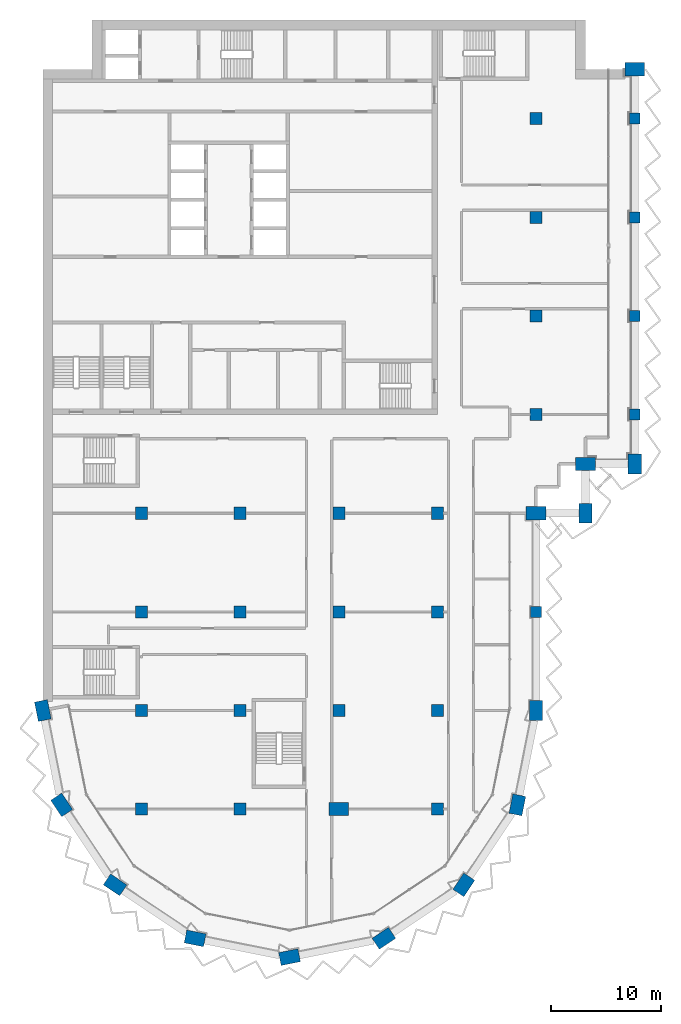
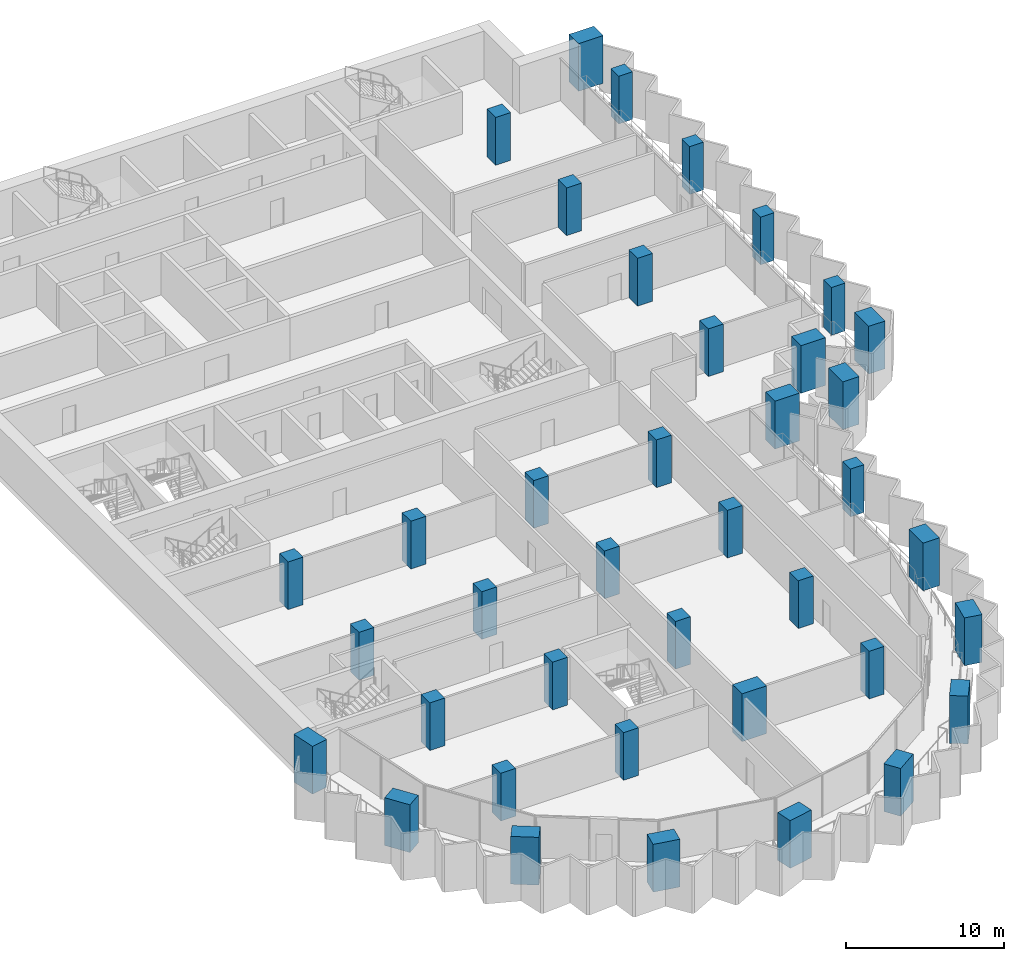
# One storey, part 1 of 17: 39 columns.
"""IFC4 building model written with IfcOpenShell, lengths in metres."""

from ifc_helpers import new_model, si_unit, direction, frame, origin, origin_2d, place, context, subcontext, project, spatial, rectangle, extrude, material, material_profile, profile_set, type_object, element, save


model = new_model("IFC4")

# Units and contexts
model_context = context("Model", 3, precision=1e-05, world=origin(), true_north=direction((0.0, 1.0)))
body_context = subcontext(model_context, "Body", "Model", "MODEL_VIEW")
ifc_project = project(units=[si_unit("LENGTHUNIT", "METRE"), si_unit("AREAUNIT", "SQUARE_METRE"), si_unit("VOLUMEUNIT", "CUBIC_METRE"), si_unit("PLANEANGLEUNIT", "RADIAN"), si_unit("MASSUNIT", "GRAM", prefix="KILO")], contexts=[model_context])

# Site, building, storey
site_placement = place(None, origin())
site = spatial("IfcSite", under=ifc_project, at=site_placement, CompositionType="ELEMENT")
building_placement = place(site_placement, origin())
building = spatial("IfcBuilding", under=site, at=building_placement, Name="Hunhe Ridgeline Campus", CompositionType="ELEMENT")
storey_placement = place(building_placement, frame((0.0, 0.0, 197.60009765625)))
storey = spatial("IfcBuildingStorey", under=building, at=storey_placement, Name="L50", CompositionType="ELEMENT", Elevation=197.60009765625)

# Columns
ifc_material = material(Name="Concrete C60", Category="concrete")
ifc_material_profile_1 = material_profile(ifc_material, rectangle(XDim=1.800048828125, YDim=1.199951171875, at=origin_2d()))
ifc_profile_set_1 = profile_set([ifc_material_profile_1], Name="Concrete C60")
column_type_1 = type_object("IfcColumnType", Name="Megacolumn 1800x1200 Concrete C60", PredefinedType="COLUMN", material=ifc_profile_set_1)
for number, where, z_axis, x_axis, name in (
    (1, (22.5, 13.5, 0.0), (0.0, 0.0, 1.0), (0.980785280403, 0.195090322016, 0.0), "Column C11 R6 L50"),
    (2, (13.8896484375, 15.212646484375, 0.0), (0.0, 0.0, 1.0), (-0.980785280403, 0.195090322016, 0.0), "Column C11 R7 L50"),
    (3, (31.1103515625, 15.212646484375, 0.0), (0.0, 0.0, 1.0), (0.831469612303, 0.55557023302, 0.0), "Column C11 R8 L50"),
    (4, (6.590087890625, 20.090087890625, 0.0), (0.0, 0.0, 1.0), (-0.831469612303, 0.55557023302, 0.0), "Column C11 R11 L50"),
    (5, (38.409912109375, 20.090087890625, 0.0), (0.0, 0.0, 1.0), (0.55557023302, 0.831469612303, 0.0), "Column C11 R12 L50"),
    (6, (1.712646484375, 27.3896484375, 0.0), (0.0, 0.0, 1.0), (-0.55557023302, 0.831469612303, 0.0), "Column C11 R16 L50"),
    (7, (43.287353515625, 27.3896484375, 0.0), (0.0, 0.0, 1.0), (0.195090322016, 0.980785280403, 0.0), "Column C11 R17 L50"),
    (8, (0.0, 36.0, 0.0), (0.0, 0.0, 1.0), (-0.195090322016, 0.980785280403, 0.0), "Column C11 E1 L50"),
    (9, (45.0, 36.0, 0.0), (0.0, 0.0, 1.0), (0.0, 1.0, 0.0), "Column C11 E6 L50"),
    (10, (45.0, 54.0, 0.0), (0.0, 0.0, 1.0), (1.0, 0.0, 0.0), "Column C11 G6 L50"),
    (11, (49.5, 54.0, 0.0), (0.0, 0.0, 1.0), (0.0, 1.0, 0.0), "Column C11 R29 L50"),
    (12, (49.5, 58.5, 0.0), (0.0, 0.0, 1.0), (1.0, 0.0, 0.0), "Column C11 R33 L50"),
    (13, (54.0, 58.5, 0.0), (0.0, 0.0, 1.0), (0.0, 1.0, 0.0), "Column C11 R34 L50"),
    (14, (54.0, 94.5, 0.0), (0.0, 0.0, 1.0), (1.0, 0.0, 0.0), "Column C11 R41 L50"),
    (15, (27.0, 27.0, 0.0), (0.0, 0.0, 1.0), (1.0, 0.0, 0.0), "Column C11 D4 L50"),
):
    element("IfcColumn", number, at=place(storey_placement, frame(where, z_axis=z_axis, x_axis=x_axis)), inside=storey, type_object=column_type_1, Name=name, PredefinedType="COLUMN", context=body_context, shape_type="SweptSolid", body=[
        extrude(rectangle(XDim=1.800048828125, YDim=1.199951171875, at=origin_2d()), origin(), (0.0, 0.0, 1.0), 3.699951171875),
    ])
ifc_material_profile_2 = material_profile(ifc_material, rectangle(XDim=1.0, YDim=1.0, at=origin_2d()))
ifc_profile_set_2 = profile_set([ifc_material_profile_2], Name="Concrete C60")
column_type_2 = type_object("IfcColumnType", Name="RC column 1000x1000 Concrete C60", PredefinedType="COLUMN", material=ifc_profile_set_2)
for number, where, z_axis, x_axis, name in (
    (16, (45.0, 45.0, 0.0), (0.0, 0.0, 1.0), (1.0, 0.0, 0.0), "Column C12 F6 L50"),
    (17, (54.0, 63.0, 0.0), (0.0, 0.0, 1.0), (1.0, 0.0, 0.0), "Column C12 H7 L50"),
    (18, (54.0, 72.0, 0.0), (0.0, 0.0, 1.0), (1.0, 0.0, 0.0), "Column C12 I7 L50"),
    (19, (54.0, 81.0, 0.0), (0.0, 0.0, 1.0), (1.0, 0.0, 0.0), "Column C12 J7 L50"),
    (20, (54.0, 90.0, 0.0), (0.0, 0.0, 1.0), (1.0, 0.0, 0.0), "Column C12 K7 L50"),
):
    element("IfcColumn", number, at=place(storey_placement, frame(where, z_axis=z_axis, x_axis=x_axis)), inside=storey, type_object=column_type_2, Name=name, PredefinedType="COLUMN", context=body_context, shape_type="SweptSolid", body=[
        extrude(rectangle(XDim=1.0, YDim=1.0, at=origin_2d()), origin(), (0.0, 0.0, 1.0), 3.699951171875),
    ])
ifc_material_profile_3 = material_profile(ifc_material, rectangle(XDim=1.10009765625, YDim=1.10009765625, at=origin_2d()))
ifc_profile_set_3 = profile_set([ifc_material_profile_3], Name="Concrete C60")
column_type_3 = type_object("IfcColumnType", Name="RC column 1100x1100 Concrete C60", PredefinedType="COLUMN", material=ifc_profile_set_3)
for number, where, z_axis, x_axis, name in (
    (21, (9.0, 27.0, 0.0), (0.0, 0.0, 1.0), (1.0, 0.0, 0.0), "Column C13 D2 L50"),
    (22, (9.0, 36.0, 0.0), (0.0, 0.0, 1.0), (1.0, 0.0, 0.0), "Column C13 E2 L50"),
    (23, (9.0, 45.0, 0.0), (0.0, 0.0, 1.0), (1.0, 0.0, 0.0), "Column C13 F2 L50"),
    (24, (9.0, 54.0, 0.0), (0.0, 0.0, 1.0), (1.0, 0.0, 0.0), "Column C13 G2 L50"),
    (25, (18.0, 27.0, 0.0), (0.0, 0.0, 1.0), (1.0, 0.0, 0.0), "Column C13 D3 L50"),
    (26, (18.0, 36.0, 0.0), (0.0, 0.0, 1.0), (1.0, 0.0, 0.0), "Column C13 E3 L50"),
    (27, (18.0, 45.0, 0.0), (0.0, 0.0, 1.0), (1.0, 0.0, 0.0), "Column C13 F3 L50"),
    (28, (18.0, 54.0, 0.0), (0.0, 0.0, 1.0), (1.0, 0.0, 0.0), "Column C13 G3 L50"),
    (29, (27.0, 36.0, 0.0), (0.0, 0.0, 1.0), (1.0, 0.0, 0.0), "Column C13 E4 L50"),
    (30, (27.0, 45.0, 0.0), (0.0, 0.0, 1.0), (1.0, 0.0, 0.0), "Column C13 F4 L50"),
    (31, (27.0, 54.0, 0.0), (0.0, 0.0, 1.0), (1.0, 0.0, 0.0), "Column C13 G4 L50"),
    (32, (36.0, 27.0, 0.0), (0.0, 0.0, 1.0), (1.0, 0.0, 0.0), "Column C13 D5 L50"),
    (33, (36.0, 36.0, 0.0), (0.0, 0.0, 1.0), (1.0, 0.0, 0.0), "Column C13 E5 L50"),
    (34, (36.0, 45.0, 0.0), (0.0, 0.0, 1.0), (1.0, 0.0, 0.0), "Column C13 F5 L50"),
    (35, (36.0, 54.0, 0.0), (0.0, 0.0, 1.0), (1.0, 0.0, 0.0), "Column C13 G5 L50"),
    (36, (45.0, 63.0, 0.0), (0.0, 0.0, 1.0), (1.0, 0.0, 0.0), "Column C13 H6 L50"),
    (37, (45.0, 72.0, 0.0), (0.0, 0.0, 1.0), (1.0, 0.0, 0.0), "Column C13 I6 L50"),
    (38, (45.0, 81.0, 0.0), (0.0, 0.0, 1.0), (1.0, 0.0, 0.0), "Column C13 J6 L50"),
    (39, (45.0, 90.0, 0.0), (0.0, 0.0, 1.0), (1.0, 0.0, 0.0), "Column C13 K6 L50"),
):
    element("IfcColumn", number, at=place(storey_placement, frame(where, z_axis=z_axis, x_axis=x_axis)), inside=storey, type_object=column_type_3, Name=name, PredefinedType="COLUMN", context=body_context, shape_type="SweptSolid", body=[
        extrude(rectangle(XDim=1.10009765625, YDim=1.10009765625, at=origin_2d()), origin(), (0.0, 0.0, 1.0), 3.699951171875),
    ])

save(model, "model.ifc")
